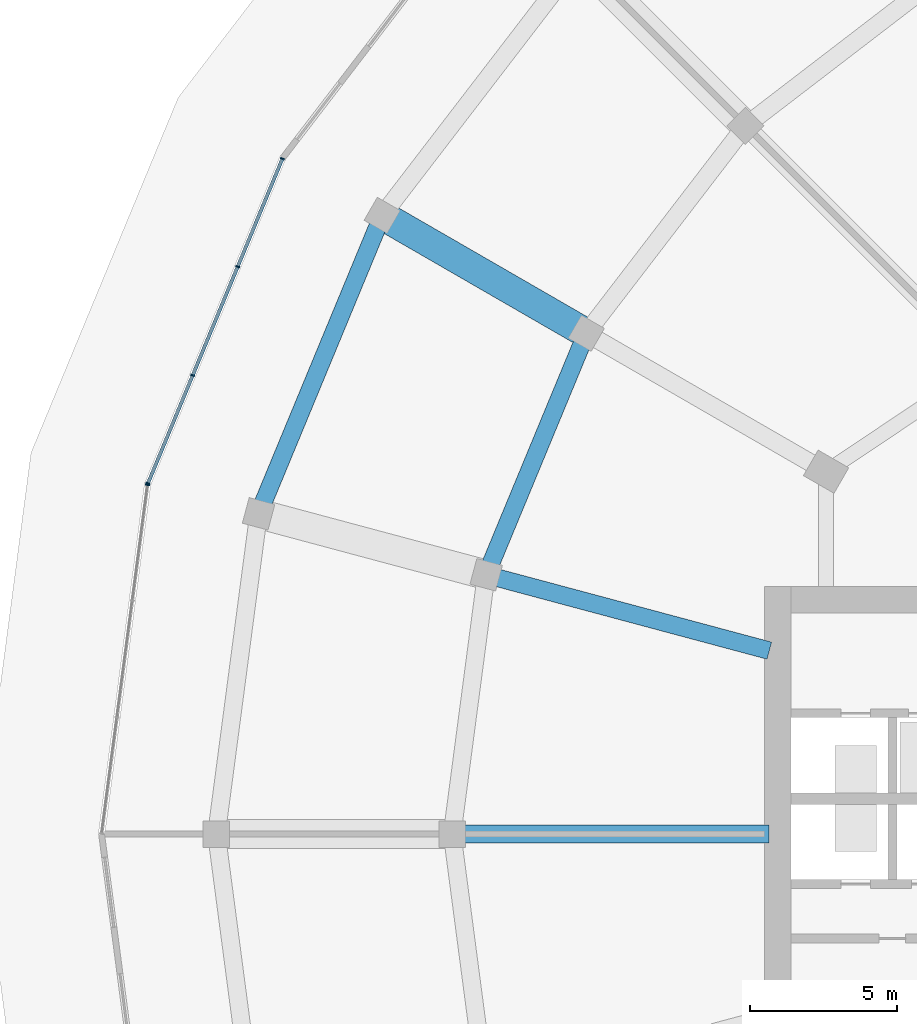
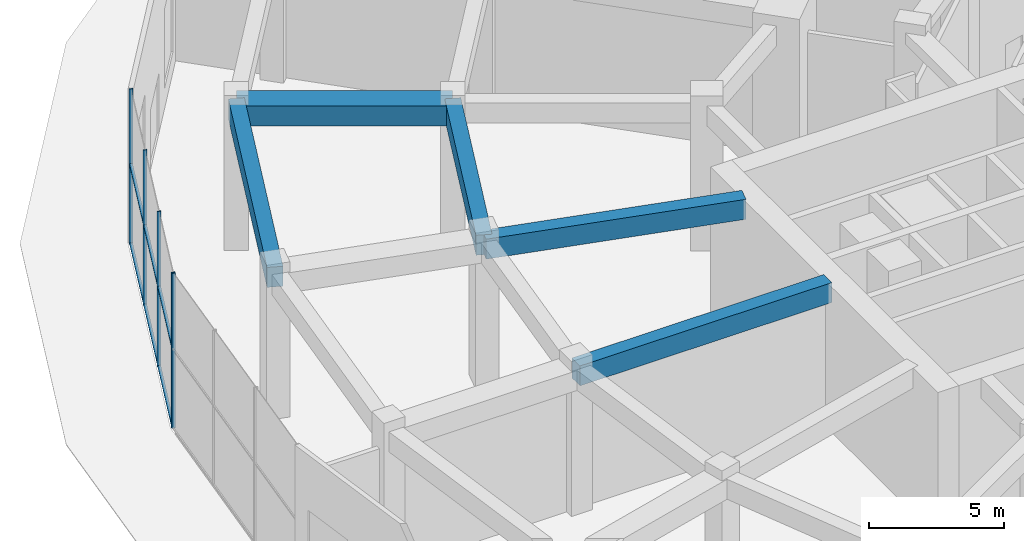
# One storey, part 11 of 31: 11 members, 5 beams, 2 elements without a shape of their own.
"""IFC4 building model written with IfcOpenShell, lengths in metres."""

from ifc_helpers import new_model, si_unit, direction, frame, origin, origin_2d, place, context, subcontext, project, spatial, rectangle, extrude, material, layer, layer_set, material_profile, profile_set, type_object, element, aggregate, save


model = new_model("IFC4")

# Units and contexts
model_context = context("Model", 3, precision=1e-05, world=origin(), true_north=direction((0.0, 1.0)))
body_context = subcontext(model_context, "Body", "Model", "MODEL_VIEW")
ifc_project = project(units=[si_unit("LENGTHUNIT", "METRE"), si_unit("AREAUNIT", "SQUARE_METRE"), si_unit("VOLUMEUNIT", "CUBIC_METRE"), si_unit("PLANEANGLEUNIT", "RADIAN"), si_unit("MASSUNIT", "GRAM", prefix="KILO")], contexts=[model_context])

# Site, building, storey
site_placement = place(None, origin())
site = spatial("IfcSite", under=ifc_project, at=site_placement, CompositionType="ELEMENT")
building_placement = place(site_placement, origin())
building = spatial("IfcBuilding", under=site, at=building_placement, Name="Torre Brocal", CompositionType="ELEMENT")
storey_placement = place(building_placement, origin())
storey = spatial("IfcBuildingStorey", under=building, at=storey_placement, Name="L00", CompositionType="ELEMENT", Elevation=0.0)

# Curtain wall, members
ifc_material_1 = material(Name="Aluminium and glass", Category="aluminium")
ifc_layer = layer(ifc_material_1, 0.199951171875)
ifc_layer_set = layer_set([ifc_layer], Name="Aluminium and glass")
curtain_wall_type = type_object("IfcCurtainWallType", Name="CW-3 CURTAIN WALL 7000 HIGH", PredefinedType="NOTDEFINED", material=ifc_layer_set)
curtain_wall_1_placement = place(storey_placement, origin())
curtain_wall_1 = element("IfcCurtainWall", 1, at=curtain_wall_1_placement, inside=storey, type_object=curtain_wall_type, Name="CW-3 RUN 11", PredefinedType="NOTDEFINED")
ifc_material_2 = material(Name="Aluminium, dark anodised", Category="aluminium")
ifc_material_profile_1 = material_profile(ifc_material_2, rectangle(XDim=0.14990234375, YDim=0.050048828125, at=origin_2d()), Name="CW-3 MULLION 50X150")
ifc_profile_set_1 = profile_set([ifc_material_profile_1], Name="Aluminium, dark anodised")
member_type_1 = type_object("IfcMemberType", Name="CW-3 MULLION 50X150", PredefinedType="MULLION", material=ifc_profile_set_1)
member_1_placement = place(storey_placement, frame((40.24072265625, 97.926513671875, 0.0), z_axis=(0.0, 0.0, 1.0), x_axis=(0.923879532525, -0.382683432333, 0.0)))
member_1 = element("IfcMember", 2, at=member_1_placement, type_object=member_type_1, Name="CW3-1 mullion 1", PredefinedType="MULLION", context=body_context, shape_type="SweptSolid", body=[
    extrude(rectangle(XDim=0.14990234375, YDim=0.050048828125, at=origin_2d()), origin(), (0.0, 0.0, 1.0), 7.0),
])
member_2_placement = place(storey_placement, frame((38.7216796875, 94.259521484375, 0.0), z_axis=(0.0, 0.0, 1.0), x_axis=(0.923879532525, -0.382683432333, 0.0)))
member_2 = element("IfcMember", 3, at=member_2_placement, type_object=member_type_1, Name="CW3-1 mullion 2", PredefinedType="MULLION", context=body_context, shape_type="SweptSolid", body=[
    extrude(rectangle(XDim=0.14990234375, YDim=0.050048828125, at=origin_2d()), origin(), (0.0, 0.0, 1.0), 7.0),
])
member_3_placement = place(storey_placement, frame((37.193359375, 90.569580078125, 0.0), z_axis=(0.0, 0.0, 1.0), x_axis=(0.923879532525, -0.382683432333, 0.0)))
member_3 = element("IfcMember", 4, at=member_3_placement, type_object=member_type_1, Name="CW3-1 mullion 3", PredefinedType="MULLION", context=body_context, shape_type="SweptSolid", body=[
    extrude(rectangle(XDim=0.14990234375, YDim=0.050048828125, at=origin_2d()), origin(), (0.0, 0.0, 1.0), 7.0),
])
member_4_placement = place(storey_placement, frame((35.67431640625, 86.902587890625, 0.0), z_axis=(0.0, 0.0, 1.0), x_axis=(0.923879532525, -0.382683432333, 0.0)))
member_4 = element("IfcMember", 5, at=member_4_placement, type_object=member_type_1, Name="CW3-1 mullion 4", PredefinedType="MULLION", context=body_context, shape_type="SweptSolid", body=[
    extrude(rectangle(XDim=0.14990234375, YDim=0.050048828125, at=origin_2d()), origin(), (0.0, 0.0, 1.0), 7.0),
])

# Curtain wall, member
curtain_wall_2_placement = place(storey_placement, origin())
curtain_wall_2 = element("IfcCurtainWall", 6, at=curtain_wall_2_placement, inside=storey, type_object=curtain_wall_type, Name="CW-3 RUN 12", PredefinedType="NOTDEFINED")
member_5_placement = place(storey_placement, frame((35.66162109375, 86.854736328125, 0.0), z_axis=(0.0, 0.0, 1.0), x_axis=(0.991444861372, -0.130526192237, 0.0)))
member_5 = element("IfcMember", 7, at=member_5_placement, type_object=member_type_1, Name="CW3-1 mullion 1", PredefinedType="MULLION", context=body_context, shape_type="SweptSolid", body=[
    extrude(rectangle(XDim=0.14990234375, YDim=0.050048828125, at=origin_2d()), origin(), (0.0, 0.0, 1.0), 7.0),
])
aggregate(curtain_wall_2, [member_5])

# Member
ifc_material_3 = material(Name="Aluminium, dark anodised", Category="aluminium")
ifc_material_profile_2 = material_profile(ifc_material_3, rectangle(XDim=0.1201171875, YDim=0.06005859375, at=origin_2d()), Name="CW-3 TRANSOM 120X60")
ifc_profile_set_2 = profile_set([ifc_material_profile_2], Name="Aluminium, dark anodised")
member_type_2 = type_object("IfcMemberType", Name="CW-3 TRANSOM 120X60", PredefinedType="USERDEFINED", material=ifc_profile_set_2)
member_6_placement = place(storey_placement, frame((40.23095703125, 97.9033203125, 0.030029296875), z_axis=(-0.382694751573, -0.92387484386, 0.0), x_axis=(0.92387484386, -0.382694751573, 0.0)))
member_6 = element("IfcMember", 8, at=member_6_placement, type_object=member_type_2, Name="CW3-1 transom 1.1", ObjectType="TRANSOM", PredefinedType="USERDEFINED", context=body_context, shape_type="SweptSolid", body=[
    extrude(rectangle(XDim=0.1201171875, YDim=0.06005859375, at=origin_2d()), origin(), (0.0, 0.0, 1.0), 3.9189453125),
])

member_7_placement = place(storey_placement, frame((40.23095703125, 97.9033203125, 3.60009765625), z_axis=(-0.382694751573, -0.92387484386, 0.0), x_axis=(0.92387484386, -0.382694751573, 0.0)))
member_7 = element("IfcMember", 9, at=member_7_placement, type_object=member_type_2, Name="CW3-1 transom 1.2", ObjectType="TRANSOM", PredefinedType="USERDEFINED", context=body_context, shape_type="SweptSolid", body=[
    extrude(rectangle(XDim=0.1201171875, YDim=0.06005859375, at=origin_2d()), origin(), (0.0, 0.0, 1.0), 3.9189453125),
])

member_8_placement = place(storey_placement, frame((38.712158203125, 94.236572265625, 0.030029296875), z_axis=(-0.382676171661, -0.92388253996, 0.0), x_axis=(0.92388253996, -0.382676171661, 0.0)))
member_8 = element("IfcMember", 10, at=member_8_placement, type_object=member_type_2, Name="CW3-1 transom 2.1", ObjectType="TRANSOM", PredefinedType="USERDEFINED", context=body_context, shape_type="SweptSolid", body=[
    extrude(rectangle(XDim=0.1201171875, YDim=0.06005859375, at=origin_2d()), origin(), (0.0, 0.0, 1.0), 3.944091796875),
])

member_9_placement = place(storey_placement, frame((38.712158203125, 94.236572265625, 3.60009765625), z_axis=(-0.382676171661, -0.92388253996, 0.0), x_axis=(0.92388253996, -0.382676171661, 0.0)))
member_9 = element("IfcMember", 11, at=member_9_placement, type_object=member_type_2, Name="CW3-1 transom 2.2", ObjectType="TRANSOM", PredefinedType="USERDEFINED", context=body_context, shape_type="SweptSolid", body=[
    extrude(rectangle(XDim=0.1201171875, YDim=0.06005859375, at=origin_2d()), origin(), (0.0, 0.0, 1.0), 3.944091796875),
])

member_10_placement = place(storey_placement, frame((37.183837890625, 90.54638671875, 0.030029296875), z_axis=(-0.382694751573, -0.92387484386, 0.0), x_axis=(0.92387484386, -0.382694751573, 0.0)))
member_10 = element("IfcMember", 12, at=member_10_placement, type_object=member_type_2, Name="CW3-1 transom 3.1", ObjectType="TRANSOM", PredefinedType="USERDEFINED", context=body_context, shape_type="SweptSolid", body=[
    extrude(rectangle(XDim=0.1201171875, YDim=0.06005859375, at=origin_2d()), origin(), (0.0, 0.0, 1.0), 3.9189453125),
])

member_11_placement = place(storey_placement, frame((37.183837890625, 90.54638671875, 3.60009765625), z_axis=(-0.382694751573, -0.92387484386, 0.0), x_axis=(0.92387484386, -0.382694751573, 0.0)))
member_11 = element("IfcMember", 13, at=member_11_placement, type_object=member_type_2, Name="CW3-1 transom 3.2", ObjectType="TRANSOM", PredefinedType="USERDEFINED", context=body_context, shape_type="SweptSolid", body=[
    extrude(rectangle(XDim=0.1201171875, YDim=0.06005859375, at=origin_2d()), origin(), (0.0, 0.0, 1.0), 3.9189453125),
])

aggregate(curtain_wall_1, [member_1, member_2, member_3, member_4, member_6, member_7, member_8, member_9, member_10, member_11])

# Beams
ifc_material_4 = material(Name="Concrete C50", Category="concrete")
ifc_material_profile_3 = material_profile(ifc_material_4, rectangle(XDim=0.60009765625, YDim=0.89990234375, at=origin_2d()), Name="RC 600X900")
ifc_profile_set_3 = profile_set([ifc_material_profile_3], Name="Concrete C50")
beam_type_1 = type_object("IfcBeamType", Name="RC BEAM 600X900 C50 TOP 6550", PredefinedType="BEAM", material=ifc_profile_set_3)
beam_1_placement = place(storey_placement, frame((43.626953125, 96.0, 6.10009765625), z_axis=(-0.382680868131, -0.923880594648, 0.0), x_axis=(0.923880594648, -0.382680868131, 0.0)))
element("IfcBeam", 14, at=beam_1_placement, inside=storey, type_object=beam_type_1, Name="Beam BT-07", PredefinedType="BEAM", context=body_context, shape_type="SweptSolid", body=[
    extrude(rectangle(XDim=0.60009765625, YDim=0.89990234375, at=origin_2d()), origin(), (0.0, 0.0, 1.0), 10.964111328125),
])
beam_2_placement = place(storey_placement, frame((50.55517578125, 92.0, 6.10009765625), z_axis=(-0.382692703012, -0.923875692429, 0.0), x_axis=(0.923875692429, -0.382692703012, 0.0)))
element("IfcBeam", 15, at=beam_2_placement, inside=storey, type_object=beam_type_1, Name="Beam BT-07", PredefinedType="BEAM", context=body_context, shape_type="SweptSolid", body=[
    extrude(rectangle(XDim=0.60009765625, YDim=0.89990234375, at=origin_2d()), origin(), (0.0, 0.0, 1.0), 8.8759765625),
])
beam_3_placement = place(storey_placement, frame((56.76953125, 81.224609375, 6.10009765625), z_axis=(-0.965928009134, 0.258810898477, 0.0), x_axis=(-0.258810898477, -0.965928009134, 0.0)))
element("IfcBeam", 16, at=beam_3_placement, inside=storey, type_object=beam_type_1, Name="Beam BT-07", PredefinedType="BEAM", context=body_context, shape_type="SweptSolid", body=[
    extrude(rectangle(XDim=0.60009765625, YDim=0.89990234375, at=origin_2d()), origin(), (0.0, 0.0, 1.0), 9.9501953125),
])
beam_4_placement = place(storey_placement, frame((56.75, 75.0, 6.10009765625), z_axis=(-1.0, 0.0, 0.0), x_axis=(0.0, -1.0, 0.0)))
element("IfcBeam", 17, at=beam_4_placement, inside=storey, type_object=beam_type_1, Name="Beam BT-07", PredefinedType="BEAM", context=body_context, shape_type="SweptSolid", body=[
    extrude(rectangle(XDim=0.60009765625, YDim=0.89990234375, at=origin_2d()), origin(), (0.0, 0.0, 1.0), 10.75),
])
ifc_material_5 = material(Name="Concrete C60", Category="concrete")
ifc_material_profile_4 = material_profile(ifc_material_5, rectangle(XDim=1.0, YDim=0.89990234375, at=origin_2d()), Name="RC 1000X900")
ifc_profile_set_4 = profile_set([ifc_material_profile_4], Name="Concrete C60")
beam_type_2 = type_object("IfcBeamType", Name="RC TRANSFER GIRDER 1000X900 C60 TOP 6550", PredefinedType="BEAM", material=ifc_profile_set_4)
beam_5_placement = place(storey_placement, frame((50.55517578125, 92.0, 6.10009765625), z_axis=(-0.866026010844, 0.49999894854, 0.0), x_axis=(-0.49999894854, -0.866026010844, 0.0)))
element("IfcBeam", 18, at=beam_5_placement, inside=storey, type_object=beam_type_2, Name="Beam TG-01", PredefinedType="BEAM", context=body_context, shape_type="SweptSolid", body=[
    extrude(rectangle(XDim=1.0, YDim=0.89990234375, at=origin_2d()), origin(), (0.0, 0.0, 1.0), 8.0),
])

save(model, "model.ifc")
